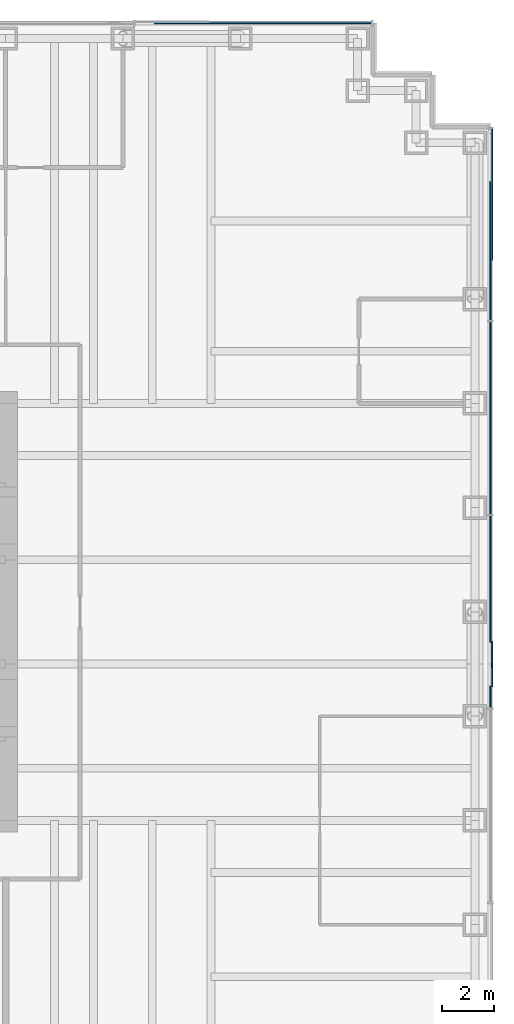
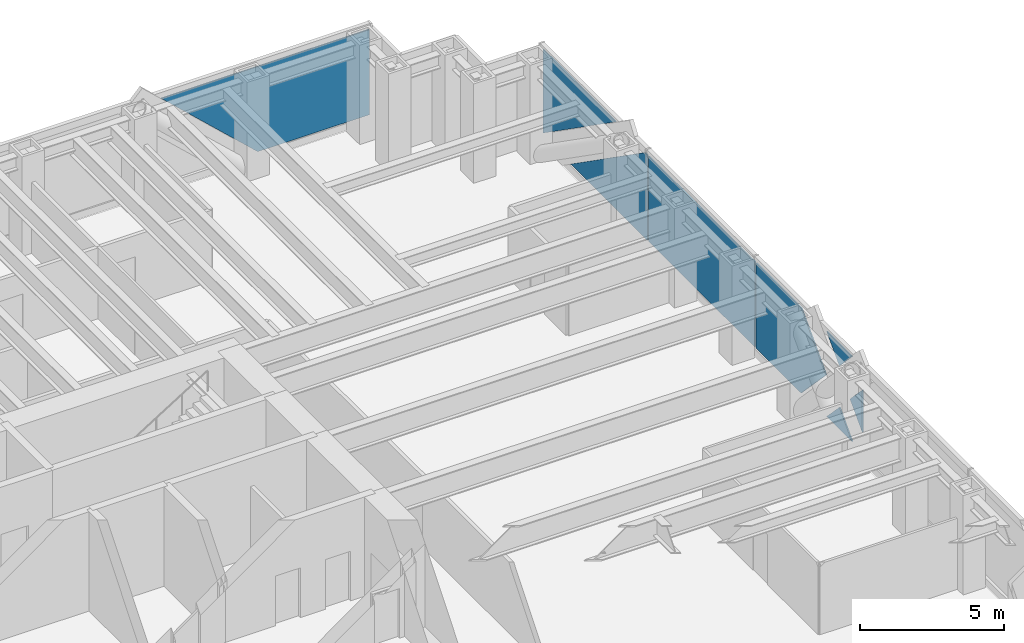
# One storey, part 12 of 17: 8 plates, 2 elements without a shape of their own.
"""IFC4 building model written with IfcOpenShell, lengths in metres."""

import ifcopenshell
import ifcopenshell.guid

model = None  # the IFC model being written
_history = None  # IfcOwnerHistory: only IFC2X3 demands one
_inside = {}  # id of a spatial element -> (the spatial element, [elements in it])
_under = {}  # id of a project, library or spatial element -> (it, [spatial elements below it])
_declared = {}  # id of a project -> (the project, [libraries it declares])
_typed = {}  # id of a type object -> (the type object, [elements of that type])
_made_of = {}  # id of a material, layer set ... -> (it, [elements and type objects made of it])


def new_model(schema):
    """Start an empty IFC model of exactly this schema.

    Asked for "IFC4X3", IfcOpenShell would pick the latest addendum, in which some entities
    have other attributes; the version numbers below select the first issue.
    IFC2X3 requires an IfcOwnerHistory on every rooted entity: one is made here for all.
    """
    global model, _history
    if schema == "IFC4X3":
        model = ifcopenshell.file(schema_version=(4, 3, 0, 0))
    else:
        model = ifcopenshell.file(schema=schema)
    _inside.clear()
    _under.clear()
    _declared.clear()
    _typed.clear()
    _made_of.clear()
    _history = None
    if model.schema == "IFC2X3":
        org = make("IfcOrganization", Name="unknown")
        user = make(
            "IfcPersonAndOrganization",
            ThePerson=make("IfcPerson", FamilyName="unknown"),
            TheOrganization=org,
        )
        app = make(
            "IfcApplication",
            ApplicationDeveloper=org,
            Version="unknown",
            ApplicationFullName="unknown",
            ApplicationIdentifier="unknown",
        )
        _history = make(
            "IfcOwnerHistory",
            OwningUser=user,
            OwningApplication=app,
            ChangeAction="ADDED",
            CreationDate=0,
        )
    return model


def make(cls, **values):
    """One entity of the class cls with the attributes given. An attribute that is None is left unset."""
    return model.create_entity(
        cls, **{name: value for name, value in values.items() if value is not None}
    )


def rooted(cls, **values):
    """An entity with a GlobalId (a new one), such as an element, a storey or a relation."""
    return make(cls, GlobalId=ifcopenshell.guid.new(), OwnerHistory=_history, **values)


def si_unit(unit_type, name, prefix=None):
    """IfcSIUnit, for example si_unit("LENGTHUNIT", "METRE", prefix="MILLI")."""
    return make("IfcSIUnit", UnitType=unit_type, Prefix=prefix, Name=name)


def assignment(units):
    """IfcUnitAssignment: the units of a project."""
    return None if units is None else make("IfcUnitAssignment", Units=units)


def point(xyz):
    """IfcCartesianPoint."""
    return None if xyz is None else make("IfcCartesianPoint", Coordinates=xyz)


def direction(xyz):
    """IfcDirection."""
    return None if xyz is None else make("IfcDirection", DirectionRatios=xyz)


def frame(location, z_axis=None, x_axis=None):
    """IfcAxis2Placement3D, a coordinate frame: its origin and axes. An axis left out is left unset."""
    return make(
        "IfcAxis2Placement3D",
        Location=point(location),
        Axis=direction(z_axis),
        RefDirection=direction(x_axis),
    )


def frame_2d(location, x_axis=None):
    """IfcAxis2Placement2D, a coordinate frame in the plane: its origin and x axis."""
    return make(
        "IfcAxis2Placement2D", Location=point(location), RefDirection=direction(x_axis)
    )


def origin():
    """The frame at (0, 0, 0) with its axes left unset."""
    return frame((0.0, 0.0, 0.0))


def origin_2d():
    """The frame at (0, 0) in the plane with its x axis left unset."""
    return frame_2d((0.0, 0.0))


def place(relative_to, where):
    """IfcLocalPlacement: puts the frame where relative to a parent placement (None: the world)."""
    return make(
        "IfcLocalPlacement", PlacementRelTo=relative_to, RelativePlacement=where
    )


def context(
    kind, dimensions, precision=None, world=None, true_north=None, identifier=None
):
    """IfcGeometricRepresentationContext, for example the 3D "Model" context."""
    return make(
        "IfcGeometricRepresentationContext",
        ContextIdentifier=identifier,
        ContextType=kind,
        CoordinateSpaceDimension=dimensions,
        Precision=precision,
        WorldCoordinateSystem=world,
        TrueNorth=true_north,
    )


def subcontext(parent, identifier, kind, view, scale=None):
    """IfcGeometricRepresentationSubContext, for example "Body" below "Model"."""
    return make(
        "IfcGeometricRepresentationSubContext",
        ContextIdentifier=identifier,
        ContextType=kind,
        ParentContext=parent,
        TargetScale=scale,
        TargetView=view,
    )


def project(units=None, contexts=None):
    """IfcProject with its units and contexts."""
    return rooted(
        "IfcProject",
        Name="project",
        RepresentationContexts=contexts,
        UnitsInContext=assignment(units),
    )


def spatial(cls, under=None, at=None, **own):
    """A site, building, storey or space (cls), placed at a placement, below another one or the project."""
    s = rooted(cls, ObjectPlacement=at, **own)
    if under is not None:
        _under.setdefault(under.id(), (under, []))[1].append(s)
    return s


def polyline(points):
    """IfcPolyline through the points."""
    return make("IfcPolyline", Points=[point(p) for p in points])


def profile(cls, at=None, kind="AREA", **sizes):
    """A parametric profile (cls). Its sizes go by their IFC names, for example OverallWidth=200.0."""
    return make(cls, ProfileType=kind, Position=at, **sizes)


def rectangle(**sizes):
    """IfcRectangleProfileDef."""
    return profile("IfcRectangleProfileDef", **sizes)


def outline(outer, holes=None, kind="AREA"):
    """IfcArbitraryClosedProfileDef: a profile drawn as a closed curve; with holes, ...WithVoids."""
    if holes is None:
        return make("IfcArbitraryClosedProfileDef", ProfileType=kind, OuterCurve=outer)
    return make(
        "IfcArbitraryProfileDefWithVoids",
        ProfileType=kind,
        OuterCurve=outer,
        InnerCurves=holes,
    )


def extrude(swept, where, along, depth):
    """IfcExtrudedAreaSolid: the profile swept, set in the frame where, extruded along a direction by depth."""
    return make(
        "IfcExtrudedAreaSolid",
        SweptArea=swept,
        Position=where,
        ExtrudedDirection=direction(along),
        Depth=depth,
    )


def shape(context_of_items, identifier, shape_type, items):
    """IfcShapeRepresentation: the items that make up one representation, for example the "Body"."""
    return make(
        "IfcShapeRepresentation",
        ContextOfItems=context_of_items,
        RepresentationIdentifier=identifier,
        RepresentationType=shape_type,
        Items=items,
    )


def material(Name=None, Category=None):
    """IfcMaterial."""
    return make("IfcMaterial", Name=Name, Category=Category)


def layer(
    of_material, thickness, ventilated=None, Name=None, Category=None, Priority=None
):
    """IfcMaterialLayer: one layer of a wall or slab, of a material (None: an air gap)."""
    return make(
        "IfcMaterialLayer",
        Material=of_material,
        LayerThickness=thickness,
        IsVentilated=ventilated,
        Name=Name,
        Category=Category,
        Priority=Priority,
    )


def layer_set(layers, Name=None):
    """IfcMaterialLayerSet."""
    return make("IfcMaterialLayerSet", MaterialLayers=layers, LayerSetName=Name)


def made_of(thing, what):
    """Note that an element or type object is made of a material, layer set ...; save() writes the relation."""
    if what is not None:
        _made_of.setdefault(what.id(), (what, []))[1].append(thing)
    return thing


def type_object(cls, material=None, **own):
    """A type object (cls), such as IfcWallType, which elements share."""
    return made_of(rooted(cls, **own), material)


def element(
    cls,
    number,
    at=None,
    inside=None,
    cuts=None,
    type_object=None,
    material=None,
    context=None,
    identifier="Body",
    shape_type=None,
    held_by="IfcProductDefinitionShape",
    body=None,
    shapes=None,
    **own,
):
    """One element of the class cls, such as IfcWall. Its Tag is "e" and its number.

    at: its placement. inside: the storey or other place that contains it. cuts: it is an
    opening in that element (IfcRelVoidsElement). A single representation is given by context,
    identifier, shape_type and body (its items); several are given by shapes. held_by: the class
    of the entity that holds the representations. save() writes the other relations.
    """
    e = rooted(cls, Tag="e%d" % number, ObjectPlacement=at, **own)
    if body is not None:
        shapes = [shape(context, identifier, shape_type, body)]
    if shapes is not None:
        e.Representation = make(held_by, Representations=shapes)
    if inside is not None:
        _inside.setdefault(inside.id(), (inside, []))[1].append(e)
    if cuts is not None:
        rooted(
            "IfcRelVoidsElement", RelatingBuildingElement=cuts, RelatedOpeningElement=e
        )
    if type_object is not None:
        _typed.setdefault(type_object.id(), (type_object, []))[1].append(e)
    return made_of(e, material)


def aggregate(whole, parts):
    """IfcRelAggregates: a whole, such as a stair, and the parts it consists of."""
    return rooted("IfcRelAggregates", RelatingObject=whole, RelatedObjects=parts)


def save(model, path):
    """Write the relations noted so far, then the file.

    IfcRelAggregates (storeys below a building ...), IfcRelContainedInSpatialStructure (elements
    in a storey), IfcRelDefinesByType, IfcRelAssociatesMaterial and IfcRelDeclares: one each for
    every whole, place, type object, material and project.
    """
    for whole, parts in _under.values():
        aggregate(whole, parts)
    for where, things in _inside.values():
        rooted(
            "IfcRelContainedInSpatialStructure",
            RelatedElements=things,
            RelatingStructure=where,
        )
    for kind, things in _typed.values():
        rooted("IfcRelDefinesByType", RelatedObjects=things, RelatingType=kind)
    for what, things in _made_of.values():
        rooted("IfcRelAssociatesMaterial", RelatedObjects=things, RelatingMaterial=what)
    for by, libraries in _declared.values():
        rooted("IfcRelDeclares", RelatingContext=by, RelatedDefinitions=libraries)
    model.write(path)


model = new_model("IFC4")

# Units and contexts
model_context = context("Model", 3, precision=1e-05, world=origin(), true_north=direction((0.0, 1.0)))
body_context = subcontext(model_context, "Body", "Model", "MODEL_VIEW")
ifc_project = project(units=[si_unit("LENGTHUNIT", "METRE"), si_unit("AREAUNIT", "SQUARE_METRE"), si_unit("VOLUMEUNIT", "CUBIC_METRE"), si_unit("PLANEANGLEUNIT", "RADIAN"), si_unit("MASSUNIT", "GRAM", prefix="KILO")], contexts=[model_context])

# Site, building, storey
site_placement = place(None, origin())
site = spatial("IfcSite", under=ifc_project, at=site_placement, CompositionType="ELEMENT")
building_placement = place(site_placement, origin())
building = spatial("IfcBuilding", under=site, at=building_placement, Name="Rheinbord Bourse Tower", CompositionType="ELEMENT")
storey_placement = place(building_placement, frame((0.0, 0.0, 159.300048828125)))
storey = spatial("IfcBuildingStorey", under=building, at=storey_placement, Name="L35", CompositionType="ELEMENT", Elevation=159.300048828125)

# Curtain wall, plates
ifc_material_1 = material(Name="Dark glass and black aluminium", Category="aluminium")
curtain_wall_type = type_object("IfcCurtainWallType", Name="CW2 DARK GLASS CURTAIN WALL", PredefinedType="USERDEFINED", material=ifc_material_1)
curtain_wall_1_placement = place(storey_placement, origin())
curtain_wall_1 = element("IfcCurtainWall", 1, at=curtain_wall_1_placement, inside=storey, type_object=curtain_wall_type, Name="Curtain wall CW2 E L35", ObjectType="UNITISED CURTAIN WALL", PredefinedType="USERDEFINED")
ifc_material_2 = material(Name="Dark tinted triple insulating glass", Category="glass")
ifc_layer = layer(ifc_material_2, 0.050048828125)
ifc_layer_set = layer_set([ifc_layer], Name="CW2 DARK GLASS PANEL")
plate_type = type_object("IfcPlateType", Name="CW2 DARK GLASS PANEL", PredefinedType="CURTAIN_PANEL", material=ifc_layer_set)
plate_1_placement = place(storey_placement, frame((72.60009765625, 31.43994140625, 0.2998046875), z_axis=(0.0, 0.0, 1.0), x_axis=(0.0, 1.0, 0.0)))
plate_1 = element("IfcPlate", 2, at=plate_1_placement, type_object=plate_type, Name="CW2 panel 4.1", PredefinedType="CURTAIN_PANEL", context=body_context, shape_type="SweptSolid", body=[
    extrude(rectangle(XDim=7.3701171875, YDim=0.050048828125, at=origin_2d()), origin(), (0.0, 0.0, 1.0), 3.60009765625),
])
plate_2_placement = place(storey_placement, frame((72.625, 20.31494140625, 2.991943359375), z_axis=(-1.0, 0.0, 0.0), x_axis=(0.0, 0.689862925404, -0.723940014195)))
plate_2 = element("IfcPlate", 3, at=plate_2_placement, type_object=plate_type, Name="CW2 glass facet 1", PredefinedType="CURTAIN_PANEL", context=body_context, shape_type="SweptSolid", body=[
    extrude(outline(polyline([(0.0, 0.0), (1.232177734375, 0.0), (1.29150390625, 1.230712890625), (0.0, 0.0)])), origin(), (0.0, 0.0, 1.0), 0.050048828125),
])
plate_3_placement = place(storey_placement, frame((72.68017578125, 21.12109375, 0.300048828125), z_axis=(-1.0, 0.0, 0.0), x_axis=(0.0, 0.689655172414, 0.724137931034)))
plate_3 = element("IfcPlate", 4, at=plate_3_placement, type_object=plate_type, Name="CW2 glass facet 2", PredefinedType="CURTAIN_PANEL", context=body_context, shape_type="SweptSolid", body=[
    extrude(outline(polyline([(0.0, 0.0), (1.2744140625, 0.0), (1.21240234375, 1.27294921875), (0.0, 0.0)])), origin(), (0.0, 0.0, 1.0), 0.050048828125),
])
plate_4_placement = place(storey_placement, frame((72.68017578125, 22.87890625, 3.89990234375), z_axis=(-1.0, 0.0, 0.0), x_axis=(0.0, -0.689655172414, -0.724137931034)))
plate_4 = element("IfcPlate", 5, at=plate_4_placement, type_object=plate_type, Name="CW2 glass facet 3", PredefinedType="CURTAIN_PANEL", context=body_context, shape_type="SweptSolid", body=[
    extrude(outline(polyline([(0.0, 0.0), (1.2744140625, 0.0), (1.21240234375, 1.27294921875), (0.0, 0.0)])), origin(), (0.0, 0.0, 1.0), 0.050048828125),
])
plate_5_placement = place(storey_placement, frame((72.625, 27.68505859375, 3.89990234375), z_axis=(-1.0, 0.0, 0.0), x_axis=(0.0, 0.0, -1.0)))
plate_5 = element("IfcPlate", 6, at=plate_5_placement, type_object=plate_type, Name="CW2 glass facet 4", PredefinedType="CURTAIN_PANEL", context=body_context, shape_type="SweptSolid", body=[
    extrude(outline(polyline([(0.0, 0.0), (3.599853515625, 0.0), (3.599853515625, 3.135009765625), (1.800048828125, 4.85009765625), (0.0, 3.135009765625), (0.0, 0.0)])), origin(), (0.0, 0.0, 1.0), 0.050048828125),
])
plate_6_placement = place(storey_placement, frame((72.625, 35.195068359375, 0.300048828125), z_axis=(-1.0, 0.0, 0.0), x_axis=(0.0, 0.0, 1.0)))
plate_6 = element("IfcPlate", 7, at=plate_6_placement, type_object=plate_type, Name="CW2 glass facet 1", PredefinedType="CURTAIN_PANEL", context=body_context, shape_type="SweptSolid", body=[
    extrude(outline(polyline([(0.0, 0.0), (3.599853515625, 0.0), (3.599853515625, 0.178955078125), (0.0, 5.321044921875), (0.0, 0.0)])), origin(), (0.0, 0.0, 1.0), 0.050048828125),
])
plate_7_placement = place(storey_placement, frame((72.68017578125, 42.530029296875, 3.89990234375), z_axis=(-1.0, 0.0, 0.0), x_axis=(0.0, 0.0, -1.0)))
plate_7 = element("IfcPlate", 8, at=plate_7_placement, type_object=plate_type, Name="CW2 glass facet 2", PredefinedType="CURTAIN_PANEL", context=body_context, shape_type="SweptSolid", body=[
    extrude(outline(polyline([(0.0, 0.0), (3.532958984375, 0.0), (0.0, 5.046142578125), (0.0, 0.0)])), origin(), (0.0, 0.0, 1.0), 0.050048828125),
])
aggregate(curtain_wall_1, [plate_1, plate_2, plate_3, plate_4, plate_5, plate_6, plate_7])

# Curtain wall, plate
curtain_wall_2_placement = place(storey_placement, origin())
curtain_wall_2 = element("IfcCurtainWall", 9, at=curtain_wall_2_placement, inside=storey, type_object=curtain_wall_type, Name="Curtain wall CW2 N L35", ObjectType="UNITISED CURTAIN WALL", PredefinedType="USERDEFINED")
plate_8_placement = place(storey_placement, frame((68.030029296875, 46.625, 0.300048828125), z_axis=(0.0, -1.0, 0.0), x_axis=(0.0, 0.0, 1.0)))
plate_8 = element("IfcPlate", 10, at=plate_8_placement, type_object=plate_type, Name="CW2 glass facet 1", PredefinedType="CURTAIN_PANEL", context=body_context, shape_type="SweptSolid", body=[
    extrude(outline(polyline([(0.0, 0.0), (3.599853515625, 0.0), (3.599853515625, 8.322021484375), (0.0, 4.465087890625), (0.0, 0.0)])), origin(), (0.0, 0.0, 1.0), 0.050048828125),
])
aggregate(curtain_wall_2, [plate_8])

save(model, "model.ifc")
